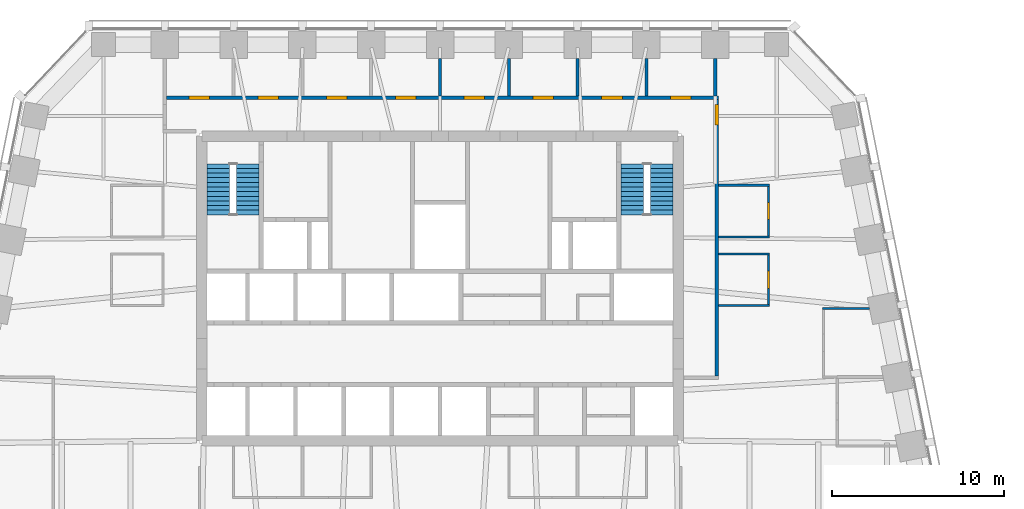
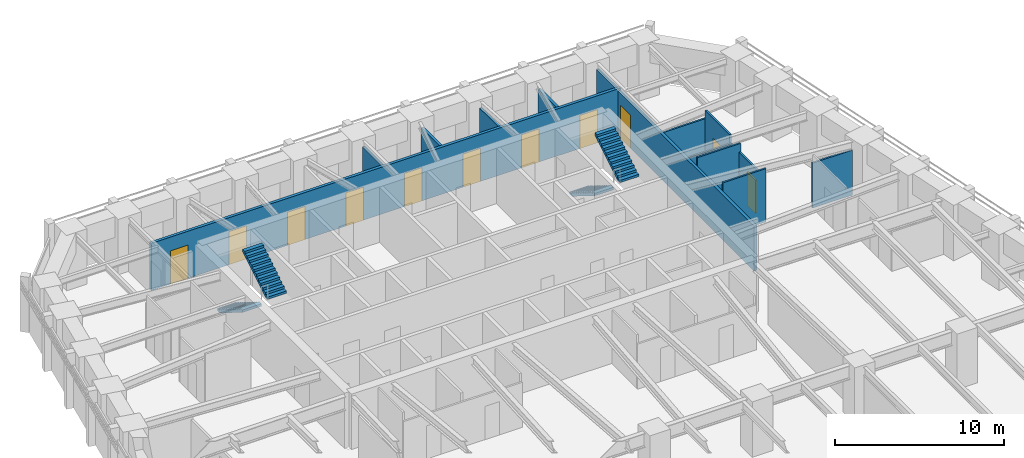
# One storey, part 8 of 10: 14 walls, 11 doors, 4 stair flights, 11 openings, 2 elements without a shape of their own.
"""IFC4 building model written with IfcOpenShell, lengths in metres."""

from ifc_helpers import new_model, si_unit, direction, frame, frame_2d, origin, place, context, subcontext, project, spatial, polyline, rectangle, outline, extrude, material, layer, layer_set, type_object, element, fill, aggregate, save


model = new_model("IFC4")

# Units and contexts
model_context = context("Model", 3, precision=1e-05, world=origin(), true_north=direction((0.0, 1.0)))
body_context = subcontext(model_context, "Body", "Model", "MODEL_VIEW")
ifc_project = project(units=[si_unit("LENGTHUNIT", "METRE"), si_unit("AREAUNIT", "SQUARE_METRE"), si_unit("VOLUMEUNIT", "CUBIC_METRE"), si_unit("PLANEANGLEUNIT", "RADIAN"), si_unit("MASSUNIT", "GRAM", prefix="KILO")], contexts=[model_context])

# Site, building, storey
site_placement = place(None, origin())
site = spatial("IfcSite", under=ifc_project, at=site_placement, CompositionType="ELEMENT")
building_placement = place(site_placement, origin())
building = spatial("IfcBuilding", under=site, at=building_placement, Name="Isbrekke Arena Tower", CompositionType="ELEMENT")
storey_placement = place(building_placement, frame((0.0, 0.0, 218.0)))
storey = spatial("IfcBuildingStorey", under=building, at=storey_placement, Name="L50", CompositionType="ELEMENT", Elevation=218.0)

# Walls
ifc_material_1 = material(Name="Frameless glazed partition, laminated acoustic glass", Category="glass")
ifc_layer_1 = layer(ifc_material_1, 0.1201171875)
ifc_layer_set_1 = layer_set([ifc_layer_1], Name="IW2 GLAZED PARTITION 120")
wall_type_1 = type_object("IfcWallType", Name="IW2 GLAZED PARTITION 120", PredefinedType="PARTITIONING", material=ifc_layer_set_1)
wall_1_placement = place(storey_placement, frame((22.239990234375, 13.840087890625, 0.0), z_axis=(0.0, 0.0, 1.0), x_axis=(1.0, 0.0, 0.0)))
element("IfcWall", 1, at=wall_1_placement, inside=storey, type_object=wall_type_1, Name="IW2 glazed partition 120 L50", PredefinedType="PARTITIONING", context=body_context, shape_type="SweptSolid", body=[
    extrude(rectangle(XDim=2.73486328125, YDim=0.1201171875, at=frame_2d((1.367431640625, 0.0))), origin(), (0.0, 0.0, 1.0), 3.25),
])
for number, where, z_axis, x_axis, name in (
    (2, (16.199951171875, 14.0, 0.0), (0.0, 0.0, 1.0), (1.0, 0.0, 0.0), "IW2 glazed partition 120 L50"),
    (3, (16.199951171875, 17.0, 0.0), (0.0, 0.0, 1.0), (1.0, 0.0, 0.0), "IW2 glazed partition 120 L50"),
):
    element("IfcWall", number, at=place(storey_placement, frame(where, z_axis=z_axis, x_axis=x_axis)), inside=storey, type_object=wall_type_1, Name=name, PredefinedType="PARTITIONING", context=body_context, shape_type="SweptSolid", body=[
        extrude(rectangle(XDim=2.9599609375, YDim=0.1201171875, at=frame_2d((1.47998046875, 0.0))), origin(), (0.0, 0.0, 1.0), 3.85009765625),
    ])
for number, where, z_axis, x_axis, name in (
    (4, (16.199951171875, 18.0, 0.0), (0.0, 0.0, 1.0), (1.0, 0.0, 0.0), "IW2 glazed partition 120 L50"),
    (5, (16.199951171875, 21.0, 0.0), (0.0, 0.0, 1.0), (1.0, 0.0, 0.0), "IW2 glazed partition 120 L50"),
):
    element("IfcWall", number, at=place(storey_placement, frame(where, z_axis=z_axis, x_axis=x_axis)), inside=storey, type_object=wall_type_1, Name=name, PredefinedType="PARTITIONING", context=body_context, shape_type="SweptSolid", body=[
        extrude(rectangle(XDim=2.9599609375, YDim=0.1201171875, at=frame_2d((1.47998046875, 0.0))), origin(), (0.0, 0.0, 1.0), 3.25),
    ])

# Wall, opening, door
wall_2_placement = place(storey_placement, frame((19.10009765625, 14.06005859375, 0.0), z_axis=(0.0, 0.0, 1.0), x_axis=(0.0, 1.0, 0.0)))
wall_2 = element("IfcWall", 6, at=wall_2_placement, inside=storey, type_object=wall_type_1, Name="IW2 glazed partition 120 L50", PredefinedType="PARTITIONING", context=body_context, shape_type="SweptSolid", body=[
    extrude(rectangle(XDim=2.8798828125, YDim=0.1201171875, at=frame_2d((1.43994140625, 0.0))), origin(), (0.0, 0.0, 1.0), 3.25),
])
opening_1_placement = place(wall_2_placement, frame((0.93994140625, 0.0, 0.0)))
opening_1 = element("IfcOpeningElement", 7, at=opening_1_placement, cuts=wall_2, Name="Opening D11", PredefinedType="OPENING", context=body_context, shape_type="SweptSolid", body=[
    extrude(rectangle(XDim=1.0, YDim=2.39990234375, at=frame_2d((0.5, 1.199951171875))), frame((0.0, 0.074951171875, 0.0), z_axis=(0.0, -1.0, 0.0), x_axis=(1.0, 0.0, 0.0)), (0.0, 0.0, 1.0), 0.14990234375),
])
ifc_material_2 = material(Name="Frameless glazed door", Category="glass")
door_type_1 = type_object("IfcDoorType", Name="D11 GLAZED MEETING ROOM DOOR 1000 x 2400", OperationType="SINGLE_SWING_RIGHT", PredefinedType="DOOR", material=ifc_material_2)
door_1_placement = place(opening_1_placement, origin())
door_1 = element("IfcDoor", 8, at=door_1_placement, inside=storey, type_object=door_type_1, Name="D11 quiet room door L50", OperationType="SINGLE_SWING_RIGHT", OverallHeight=2.39990234375, OverallWidth=1.0, PredefinedType="DOOR", context=body_context, shape_type="SweptSolid", body=[
    extrude(rectangle(XDim=1.0, YDim=2.39990234375, at=frame_2d((0.5, 1.199951171875))), frame((0.0, 0.059814453125, 0.0), z_axis=(0.0, -1.0, 0.0), x_axis=(1.0, 0.0, 0.0)), (0.0, 0.0, 1.0), 0.11962890625),
])
fill(opening_1, door_1)

wall_3_placement = place(storey_placement, frame((19.10009765625, 18.06005859375, 0.0), z_axis=(0.0, 0.0, 1.0), x_axis=(0.0, 1.0, 0.0)))
wall_3 = element("IfcWall", 9, at=wall_3_placement, inside=storey, type_object=wall_type_1, Name="IW2 glazed partition 120 L50", PredefinedType="PARTITIONING", context=body_context, shape_type="SweptSolid", body=[
    extrude(rectangle(XDim=2.8798828125, YDim=0.1201171875, at=frame_2d((1.43994140625, 0.0))), origin(), (0.0, 0.0, 1.0), 3.85009765625),
])
opening_2_placement = place(wall_3_placement, frame((0.93994140625, 0.0, 0.0)))
opening_2 = element("IfcOpeningElement", 10, at=opening_2_placement, cuts=wall_3, Name="Opening D11", PredefinedType="OPENING", context=body_context, shape_type="SweptSolid", body=[
    extrude(rectangle(XDim=1.0, YDim=2.39990234375, at=frame_2d((0.5, 1.199951171875))), frame((0.0, 0.074951171875, 0.0), z_axis=(0.0, -1.0, 0.0), x_axis=(1.0, 0.0, 0.0)), (0.0, 0.0, 1.0), 0.14990234375),
])
door_2_placement = place(opening_2_placement, origin())
door_2 = element("IfcDoor", 11, at=door_2_placement, inside=storey, type_object=door_type_1, Name="D11 quiet room door L50", OperationType="SINGLE_SWING_RIGHT", OverallHeight=2.39990234375, OverallWidth=1.0, PredefinedType="DOOR", context=body_context, shape_type="SweptSolid", body=[
    extrude(rectangle(XDim=1.0, YDim=2.39990234375, at=frame_2d((0.5, 1.199951171875))), frame((0.0, 0.059814453125, 0.0), z_axis=(0.0, -1.0, 0.0), x_axis=(1.0, 0.0, 0.0)), (0.0, 0.0, 1.0), 0.11962890625),
])
fill(opening_2, door_2)

# Wall, openings, doors
ifc_material_3 = material(Name="Gypsum board fire-cell wall on steel studs, two layers each side", Category="steel")
ifc_layer_2 = layer(ifc_material_3, 0.199951171875)
ifc_layer_set_2 = layer_set([ifc_layer_2], Name="IW3 FIRE-CELL WALL 200")
wall_type_2 = type_object("IfcWallType", Name="IW3 FIRE-CELL WALL 200", PredefinedType="PARTITIONING", material=ifc_layer_set_2)
wall_4_placement = place(storey_placement, frame((-15.89990234375, 26.10009765625, 0.0), z_axis=(0.0, 0.0, 1.0), x_axis=(1.0, 0.0, 0.0)))
wall_4 = element("IfcWall", 12, at=wall_4_placement, inside=storey, type_object=wall_type_2, Name="IW3 fire-cell wall 200 L50", PredefinedType="PARTITIONING", context=body_context, shape_type="SweptSolid", body=[
    extrude(rectangle(XDim=32.099853515625, YDim=0.199951171875, at=frame_2d((16.0498046875, 0.0))), origin(), (0.0, 0.0, 1.0), 3.39990234375),
])
opening_3_placement = place(wall_4_placement, frame((1.300048828125, 0.0, 0.0)))
opening_3 = element("IfcOpeningElement", 13, at=opening_3_placement, cuts=wall_4, Name="Opening D12", PredefinedType="OPENING", context=body_context, shape_type="SweptSolid", body=[
    extrude(rectangle(XDim=1.199951171875, YDim=2.39990234375, at=frame_2d((0.60009765625, 1.199951171875))), frame((0.0, 0.11474609375, 0.0), z_axis=(0.0, -1.0, 0.0), x_axis=(1.0, 0.0, 0.0)), (0.0, 0.0, 1.0), 0.229736328125),
])
opening_4_placement = place(wall_4_placement, frame((5.300048828125, 0.0, 0.0)))
opening_4 = element("IfcOpeningElement", 14, at=opening_4_placement, cuts=wall_4, Name="Opening D12", PredefinedType="OPENING", context=body_context, shape_type="SweptSolid", body=[
    extrude(rectangle(XDim=1.199951171875, YDim=2.39990234375, at=frame_2d((0.60009765625, 1.199951171875))), frame((0.0, 0.11474609375, 0.0), z_axis=(0.0, -1.0, 0.0), x_axis=(1.0, 0.0, 0.0)), (0.0, 0.0, 1.0), 0.229736328125),
])
opening_5_placement = place(wall_4_placement, frame((9.300048828125, 0.0, 0.0)))
opening_5 = element("IfcOpeningElement", 15, at=opening_5_placement, cuts=wall_4, Name="Opening D12", PredefinedType="OPENING", context=body_context, shape_type="SweptSolid", body=[
    extrude(rectangle(XDim=1.199951171875, YDim=2.39990234375, at=frame_2d((0.60009765625, 1.199951171875))), frame((0.0, 0.11474609375, 0.0), z_axis=(0.0, -1.0, 0.0), x_axis=(1.0, 0.0, 0.0)), (0.0, 0.0, 1.0), 0.229736328125),
])
opening_6_placement = place(wall_4_placement, frame((13.300048828125, 0.0, 0.0)))
opening_6 = element("IfcOpeningElement", 16, at=opening_6_placement, cuts=wall_4, Name="Opening D12", PredefinedType="OPENING", context=body_context, shape_type="SweptSolid", body=[
    extrude(rectangle(XDim=1.199951171875, YDim=2.39990234375, at=frame_2d((0.60009765625, 1.199951171875))), frame((0.0, 0.11474609375, 0.0), z_axis=(0.0, -1.0, 0.0), x_axis=(1.0, 0.0, 0.0)), (0.0, 0.0, 1.0), 0.229736328125),
])
opening_7_placement = place(wall_4_placement, frame((17.300048828125, 0.0, 0.0)))
opening_7 = element("IfcOpeningElement", 17, at=opening_7_placement, cuts=wall_4, Name="Opening D12", PredefinedType="OPENING", context=body_context, shape_type="SweptSolid", body=[
    extrude(rectangle(XDim=1.199951171875, YDim=2.39990234375, at=frame_2d((0.60009765625, 1.199951171875))), frame((0.0, 0.11474609375, 0.0), z_axis=(0.0, -1.0, 0.0), x_axis=(1.0, 0.0, 0.0)), (0.0, 0.0, 1.0), 0.229736328125),
])
opening_8_placement = place(wall_4_placement, frame((21.300048828125, 0.0, 0.0)))
opening_8 = element("IfcOpeningElement", 18, at=opening_8_placement, cuts=wall_4, Name="Opening D12", PredefinedType="OPENING", context=body_context, shape_type="SweptSolid", body=[
    extrude(rectangle(XDim=1.199951171875, YDim=2.39990234375, at=frame_2d((0.60009765625, 1.199951171875))), frame((0.0, 0.11474609375, 0.0), z_axis=(0.0, -1.0, 0.0), x_axis=(1.0, 0.0, 0.0)), (0.0, 0.0, 1.0), 0.229736328125),
])
opening_9_placement = place(wall_4_placement, frame((25.300048828125, 0.0, 0.0)))
opening_9 = element("IfcOpeningElement", 19, at=opening_9_placement, cuts=wall_4, Name="Opening D12", PredefinedType="OPENING", context=body_context, shape_type="SweptSolid", body=[
    extrude(rectangle(XDim=1.199951171875, YDim=2.39990234375, at=frame_2d((0.60009765625, 1.199951171875))), frame((0.0, 0.11474609375, 0.0), z_axis=(0.0, -1.0, 0.0), x_axis=(1.0, 0.0, 0.0)), (0.0, 0.0, 1.0), 0.229736328125),
])
opening_10_placement = place(wall_4_placement, frame((29.300048828125, 0.0, 0.0)))
opening_10 = element("IfcOpeningElement", 20, at=opening_10_placement, cuts=wall_4, Name="Opening D12", PredefinedType="OPENING", context=body_context, shape_type="SweptSolid", body=[
    extrude(rectangle(XDim=1.199951171875, YDim=2.39990234375, at=frame_2d((0.60009765625, 1.199951171875))), frame((0.0, 0.11474609375, 0.0), z_axis=(0.0, -1.0, 0.0), x_axis=(1.0, 0.0, 0.0)), (0.0, 0.0, 1.0), 0.229736328125),
])
ifc_material_4 = material(Name="Timber fire door with vision panel", Category="wood")
door_type_2 = type_object("IfcDoorType", Name="D12 SUITE ENTRANCE DOOR 1200 x 2400", OperationType="SINGLE_SWING_LEFT", PredefinedType="DOOR", material=ifc_material_4)
door_3_placement = place(opening_3_placement, origin())
door_3 = element("IfcDoor", 21, at=door_3_placement, inside=storey, type_object=door_type_2, Name="D12 quiet room door L50", OperationType="SINGLE_SWING_LEFT", OverallHeight=2.39990234375, OverallWidth=1.199951171875, PredefinedType="DOOR", context=body_context, shape_type="SweptSolid", body=[
    extrude(rectangle(XDim=1.199951171875, YDim=2.39990234375, at=frame_2d((0.60009765625, 1.199951171875))), frame((0.0, 0.099609375, 0.0), z_axis=(0.0, -1.0, 0.0), x_axis=(1.0, 0.0, 0.0)), (0.0, 0.0, 1.0), 0.199462890625),
])
fill(opening_3, door_3)
door_4_placement = place(opening_4_placement, origin())
door_4 = element("IfcDoor", 22, at=door_4_placement, inside=storey, type_object=door_type_2, Name="D12 meeting room door L50", OperationType="SINGLE_SWING_LEFT", OverallHeight=2.39990234375, OverallWidth=1.199951171875, PredefinedType="DOOR", context=body_context, shape_type="SweptSolid", body=[
    extrude(rectangle(XDim=1.199951171875, YDim=2.39990234375, at=frame_2d((0.60009765625, 1.199951171875))), frame((0.0, 0.099609375, 0.0), z_axis=(0.0, -1.0, 0.0), x_axis=(1.0, 0.0, 0.0)), (0.0, 0.0, 1.0), 0.199462890625),
])
fill(opening_4, door_4)
door_5_placement = place(opening_5_placement, origin())
door_5 = element("IfcDoor", 23, at=door_5_placement, inside=storey, type_object=door_type_2, Name="D12 meeting room door L50", OperationType="SINGLE_SWING_LEFT", OverallHeight=2.39990234375, OverallWidth=1.199951171875, PredefinedType="DOOR", context=body_context, shape_type="SweptSolid", body=[
    extrude(rectangle(XDim=1.199951171875, YDim=2.39990234375, at=frame_2d((0.60009765625, 1.199951171875))), frame((0.0, 0.099609375, 0.0), z_axis=(0.0, -1.0, 0.0), x_axis=(1.0, 0.0, 0.0)), (0.0, 0.0, 1.0), 0.199462890625),
])
fill(opening_5, door_5)
door_6_placement = place(opening_6_placement, origin())
door_6 = element("IfcDoor", 24, at=door_6_placement, inside=storey, type_object=door_type_2, Name="D12 meeting room door L50", OperationType="SINGLE_SWING_LEFT", OverallHeight=2.39990234375, OverallWidth=1.199951171875, PredefinedType="DOOR", context=body_context, shape_type="SweptSolid", body=[
    extrude(rectangle(XDim=1.199951171875, YDim=2.39990234375, at=frame_2d((0.60009765625, 1.199951171875))), frame((0.0, 0.099609375, 0.0), z_axis=(0.0, -1.0, 0.0), x_axis=(1.0, 0.0, 0.0)), (0.0, 0.0, 1.0), 0.199462890625),
])
fill(opening_6, door_6)
door_7_placement = place(opening_7_placement, origin())
door_7 = element("IfcDoor", 25, at=door_7_placement, inside=storey, type_object=door_type_2, Name="D12 meeting room door L50", OperationType="SINGLE_SWING_LEFT", OverallHeight=2.39990234375, OverallWidth=1.199951171875, PredefinedType="DOOR", context=body_context, shape_type="SweptSolid", body=[
    extrude(rectangle(XDim=1.199951171875, YDim=2.39990234375, at=frame_2d((0.60009765625, 1.199951171875))), frame((0.0, 0.099609375, 0.0), z_axis=(0.0, -1.0, 0.0), x_axis=(1.0, 0.0, 0.0)), (0.0, 0.0, 1.0), 0.199462890625),
])
fill(opening_7, door_7)
door_8_placement = place(opening_8_placement, origin())
door_8 = element("IfcDoor", 26, at=door_8_placement, inside=storey, type_object=door_type_2, Name="D12 meeting room door L50", OperationType="SINGLE_SWING_LEFT", OverallHeight=2.39990234375, OverallWidth=1.199951171875, PredefinedType="DOOR", context=body_context, shape_type="SweptSolid", body=[
    extrude(rectangle(XDim=1.199951171875, YDim=2.39990234375, at=frame_2d((0.60009765625, 1.199951171875))), frame((0.0, 0.099609375, 0.0), z_axis=(0.0, -1.0, 0.0), x_axis=(1.0, 0.0, 0.0)), (0.0, 0.0, 1.0), 0.199462890625),
])
fill(opening_8, door_8)
door_9_placement = place(opening_9_placement, origin())
door_9 = element("IfcDoor", 27, at=door_9_placement, inside=storey, type_object=door_type_2, Name="D12 meeting room door L50", OperationType="SINGLE_SWING_LEFT", OverallHeight=2.39990234375, OverallWidth=1.199951171875, PredefinedType="DOOR", context=body_context, shape_type="SweptSolid", body=[
    extrude(rectangle(XDim=1.199951171875, YDim=2.39990234375, at=frame_2d((0.60009765625, 1.199951171875))), frame((0.0, 0.099609375, 0.0), z_axis=(0.0, -1.0, 0.0), x_axis=(1.0, 0.0, 0.0)), (0.0, 0.0, 1.0), 0.199462890625),
])
fill(opening_9, door_9)
door_10_placement = place(opening_10_placement, origin())
door_10 = element("IfcDoor", 28, at=door_10_placement, inside=storey, type_object=door_type_2, Name="D12 quiet room door L50", OperationType="SINGLE_SWING_LEFT", OverallHeight=2.39990234375, OverallWidth=1.199951171875, PredefinedType="DOOR", context=body_context, shape_type="SweptSolid", body=[
    extrude(rectangle(XDim=1.199951171875, YDim=2.39990234375, at=frame_2d((0.60009765625, 1.199951171875))), frame((0.0, 0.099609375, 0.0), z_axis=(0.0, -1.0, 0.0), x_axis=(1.0, 0.0, 0.0)), (0.0, 0.0, 1.0), 0.199462890625),
])
fill(opening_10, door_10)

# Wall
wall_5_placement = place(storey_placement, frame((16.0, 26.199951171875, 0.0), z_axis=(0.0, 0.0, 1.0), x_axis=(0.0, 1.0, 0.0)))
element("IfcWall", 29, at=wall_5_placement, inside=storey, type_object=wall_type_2, Name="IW3 fire-cell wall 200 L50", PredefinedType="PARTITIONING", context=body_context, shape_type="SweptSolid", body=[
    extrude(rectangle(XDim=2.175048828125, YDim=0.199951171875, at=frame_2d((1.08740234375, 0.0))), origin(), (0.0, 0.0, 1.0), 3.39990234375),
])

# Wall, opening, door
wall_6_placement = place(storey_placement, frame((16.10009765625, 9.89990234375, 0.0), z_axis=(0.0, 0.0, 1.0), x_axis=(0.0, 1.0, 0.0)))
wall_6 = element("IfcWall", 30, at=wall_6_placement, inside=storey, type_object=wall_type_2, Name="IW3 fire-cell wall 200 L50", PredefinedType="PARTITIONING", context=body_context, shape_type="SweptSolid", body=[
    extrude(rectangle(XDim=16.10009765625, YDim=0.199951171875, at=frame_2d((8.050048828125, 0.0))), origin(), (0.0, 0.0, 1.0), 3.25),
])
opening_11_placement = place(wall_6_placement, frame((14.60009765625, 0.0, 0.0)))
opening_11 = element("IfcOpeningElement", 31, at=opening_11_placement, cuts=wall_6, Name="Opening D12", PredefinedType="OPENING", context=body_context, shape_type="SweptSolid", body=[
    extrude(rectangle(XDim=1.199951171875, YDim=2.39990234375, at=frame_2d((0.60009765625, 1.199951171875))), frame((0.0, 0.11474609375, 0.0), z_axis=(0.0, -1.0, 0.0), x_axis=(1.0, 0.0, 0.0)), (0.0, 0.0, 1.0), 0.229736328125),
])
door_11_placement = place(opening_11_placement, origin())
door_11 = element("IfcDoor", 32, at=door_11_placement, inside=storey, type_object=door_type_2, Name="D12 suite entrance A door L50", OperationType="SINGLE_SWING_LEFT", OverallHeight=2.39990234375, OverallWidth=1.199951171875, PredefinedType="DOOR", context=body_context, shape_type="SweptSolid", body=[
    extrude(rectangle(XDim=1.199951171875, YDim=2.39990234375, at=frame_2d((0.60009765625, 1.199951171875))), frame((0.0, 0.099609375, 0.0), z_axis=(0.0, -1.0, 0.0), x_axis=(1.0, 0.0, 0.0)), (0.0, 0.0, 1.0), 0.199462890625),
])
fill(opening_11, door_11)

# Walls
ifc_material_5 = material(Name="Gypsum board acoustic partition on twin steel studs", Category="steel")
ifc_layer_3 = layer(ifc_material_5, 0.175048828125)
ifc_layer_set_3 = layer_set([ifc_layer_3], Name="IW4 ACOUSTIC PARTITION 175")
wall_type_3 = type_object("IfcWallType", Name="IW4 ACOUSTIC PARTITION 175", PredefinedType="PARTITIONING", material=ifc_layer_set_3)
for number, where, z_axis, x_axis, name in (
    (33, (0.0, 26.199951171875, 0.0), (0.0, 0.0, 1.0), (0.0, 1.0, 0.0), "IW4 acoustic partition 175 L50"),
    (34, (4.0, 26.199951171875, 0.0), (0.0, 0.0, 1.0), (0.0, 1.0, 0.0), "IW4 acoustic partition 175 L50"),
    (35, (8.0, 26.199951171875, 0.0), (0.0, 0.0, 1.0), (0.0, 1.0, 0.0), "IW4 acoustic partition 175 L50"),
    (36, (12.0, 26.199951171875, 0.0), (0.0, 0.0, 1.0), (0.0, 1.0, 0.0), "IW4 acoustic partition 175 L50"),
):
    element("IfcWall", number, at=place(storey_placement, frame(where, z_axis=z_axis, x_axis=x_axis)), inside=storey, type_object=wall_type_3, Name=name, PredefinedType="PARTITIONING", context=body_context, shape_type="SweptSolid", body=[
        extrude(rectangle(XDim=2.175048828125, YDim=0.175048828125, at=frame_2d((1.08740234375, 0.0))), origin(), (0.0, 0.0, 1.0), 3.39990234375),
    ])

# Stair, stair flights
ifc_material_6 = material(Name="Concrete B45 (C45/55) precast", Category="concrete")
stair_type = type_object("IfcStairType", Name="ST40 STAIR 1300 WIDE, 24 RISERS 167", PredefinedType="HALF_TURN_STAIR", material=ifc_material_6)
stair_1_placement = place(storey_placement, origin())
stair_1 = element("IfcStair", 37, at=stair_1_placement, inside=storey, type_object=stair_type, Name="ST1 stair L50", PredefinedType="HALF_TURN_STAIR")
ifc_material_7 = material(Name="Concrete B45 (C45/55) precast", Category="concrete")
stair_flight_type = type_object("IfcStairFlightType", Name="SF 1300 FLIGHT", PredefinedType="STRAIGHT", material=ifc_material_7)
stair_flight_1_placement = place(storey_placement, frame((-12.89990234375, 22.25, 0.0), z_axis=(0.0, 0.0, 1.0), x_axis=(0.0, -1.0, 0.0)))
stair_flight_1 = element("IfcStairFlight", 38, at=stair_flight_1_placement, type_object=stair_flight_type, Name="ST1 flight 1", NumberOfRisers=12, NumberOfTreads=11, PredefinedType="STRAIGHT", RiserHeight=0.166666667, TreadLength=0.27, context=body_context, shape_type="SweptSolid", body=[
    extrude(outline(polyline([(0.0, 0.0), (0.0, 0.166748046875), (0.27001953125, 0.166748046875), (0.27001953125, 0.333251953125), (0.5400390625, 0.333251953125), (0.5400390625, 0.5), (0.81005859375, 0.5), (0.81005859375, 0.666748046875), (1.080078125, 0.666748046875), (1.080078125, 0.833251953125), (1.35009765625, 0.833251953125), (1.35009765625, 1.0), (1.6201171875, 1.0), (1.6201171875, 1.166748046875), (1.889892578125, 1.166748046875), (1.889892578125, 1.333251953125), (2.159912109375, 1.333251953125), (2.159912109375, 1.5), (2.429931640625, 1.5), (2.429931640625, 1.666748046875), (2.699951171875, 1.666748046875), (2.699951171875, 1.833251953125), (2.969970703125, 1.833251953125), (2.969970703125, 2.0), (2.969970703125, 1.6572265625), (0.285400390625, 0.0), (0.0, 0.0)])), frame((0.0, 0.64990234375, 0.0), z_axis=(0.0, -1.0, 0.0), x_axis=(1.0, 0.0, 0.0)), (0.0, 0.0, 1.0), 1.300048828125),
])
stair_flight_2_placement = place(storey_placement, frame((-11.175048828125, 19.280029296875, 2.0), z_axis=(0.0, 0.0, 1.0), x_axis=(0.0, 1.0, 0.0)))
stair_flight_2 = element("IfcStairFlight", 39, at=stair_flight_2_placement, type_object=stair_flight_type, Name="ST1 flight 2", NumberOfRisers=12, NumberOfTreads=11, PredefinedType="STRAIGHT", RiserHeight=0.166666667, TreadLength=0.27, context=body_context, shape_type="SweptSolid", body=[
    extrude(outline(polyline([(0.0, 0.0), (0.0, 0.166748046875), (0.27001953125, 0.166748046875), (0.27001953125, 0.333251953125), (0.5400390625, 0.333251953125), (0.5400390625, 0.5), (0.81005859375, 0.5), (0.81005859375, 0.666748046875), (1.080078125, 0.666748046875), (1.080078125, 0.833251953125), (1.35009765625, 0.833251953125), (1.35009765625, 1.0), (1.6201171875, 1.0), (1.6201171875, 1.166748046875), (1.889892578125, 1.166748046875), (1.889892578125, 1.333251953125), (2.159912109375, 1.333251953125), (2.159912109375, 1.5), (2.429931640625, 1.5), (2.429931640625, 1.666748046875), (2.699951171875, 1.666748046875), (2.699951171875, 1.833251953125), (2.969970703125, 1.833251953125), (2.969970703125, 2.0), (2.969970703125, 1.6572265625), (0.285400390625, 0.0), (0.0, 0.0)])), frame((0.0, 0.64990234375, 0.0), z_axis=(0.0, -1.0, 0.0), x_axis=(1.0, 0.0, 0.0)), (0.0, 0.0, 1.0), 1.300048828125),
])
aggregate(stair_1, [stair_flight_1, stair_flight_2])

stair_2_placement = place(storey_placement, origin())
stair_2 = element("IfcStair", 40, at=stair_2_placement, inside=storey, type_object=stair_type, Name="ST2 stair L50", PredefinedType="HALF_TURN_STAIR")
stair_flight_3_placement = place(storey_placement, frame((11.175048828125, 22.25, 0.0), z_axis=(0.0, 0.0, 1.0), x_axis=(0.0, -1.0, 0.0)))
stair_flight_3 = element("IfcStairFlight", 41, at=stair_flight_3_placement, type_object=stair_flight_type, Name="ST2 flight 1", NumberOfRisers=12, NumberOfTreads=11, PredefinedType="STRAIGHT", RiserHeight=0.166666667, TreadLength=0.27, context=body_context, shape_type="SweptSolid", body=[
    extrude(outline(polyline([(0.0, 0.0), (0.0, 0.166748046875), (0.27001953125, 0.166748046875), (0.27001953125, 0.333251953125), (0.5400390625, 0.333251953125), (0.5400390625, 0.5), (0.81005859375, 0.5), (0.81005859375, 0.666748046875), (1.080078125, 0.666748046875), (1.080078125, 0.833251953125), (1.35009765625, 0.833251953125), (1.35009765625, 1.0), (1.6201171875, 1.0), (1.6201171875, 1.166748046875), (1.889892578125, 1.166748046875), (1.889892578125, 1.333251953125), (2.159912109375, 1.333251953125), (2.159912109375, 1.5), (2.429931640625, 1.5), (2.429931640625, 1.666748046875), (2.699951171875, 1.666748046875), (2.699951171875, 1.833251953125), (2.969970703125, 1.833251953125), (2.969970703125, 2.0), (2.969970703125, 1.6572265625), (0.285400390625, 0.0), (0.0, 0.0)])), frame((0.0, 0.64990234375, 0.0), z_axis=(0.0, -1.0, 0.0), x_axis=(1.0, 0.0, 0.0)), (0.0, 0.0, 1.0), 1.300048828125),
])
stair_flight_4_placement = place(storey_placement, frame((12.89990234375, 19.280029296875, 2.0), z_axis=(0.0, 0.0, 1.0), x_axis=(0.0, 1.0, 0.0)))
stair_flight_4 = element("IfcStairFlight", 42, at=stair_flight_4_placement, type_object=stair_flight_type, Name="ST2 flight 2", NumberOfRisers=12, NumberOfTreads=11, PredefinedType="STRAIGHT", RiserHeight=0.166666667, TreadLength=0.27, context=body_context, shape_type="SweptSolid", body=[
    extrude(outline(polyline([(0.0, 0.0), (0.0, 0.166748046875), (0.27001953125, 0.166748046875), (0.27001953125, 0.333251953125), (0.5400390625, 0.333251953125), (0.5400390625, 0.5), (0.81005859375, 0.5), (0.81005859375, 0.666748046875), (1.080078125, 0.666748046875), (1.080078125, 0.833251953125), (1.35009765625, 0.833251953125), (1.35009765625, 1.0), (1.6201171875, 1.0), (1.6201171875, 1.166748046875), (1.889892578125, 1.166748046875), (1.889892578125, 1.333251953125), (2.159912109375, 1.333251953125), (2.159912109375, 1.5), (2.429931640625, 1.5), (2.429931640625, 1.666748046875), (2.699951171875, 1.666748046875), (2.699951171875, 1.833251953125), (2.969970703125, 1.833251953125), (2.969970703125, 2.0), (2.969970703125, 1.6572265625), (0.285400390625, 0.0), (0.0, 0.0)])), frame((0.0, 0.64990234375, 0.0), z_axis=(0.0, -1.0, 0.0), x_axis=(1.0, 0.0, 0.0)), (0.0, 0.0, 1.0), 1.300048828125),
])
aggregate(stair_2, [stair_flight_3, stair_flight_4])

save(model, "model.ifc")
